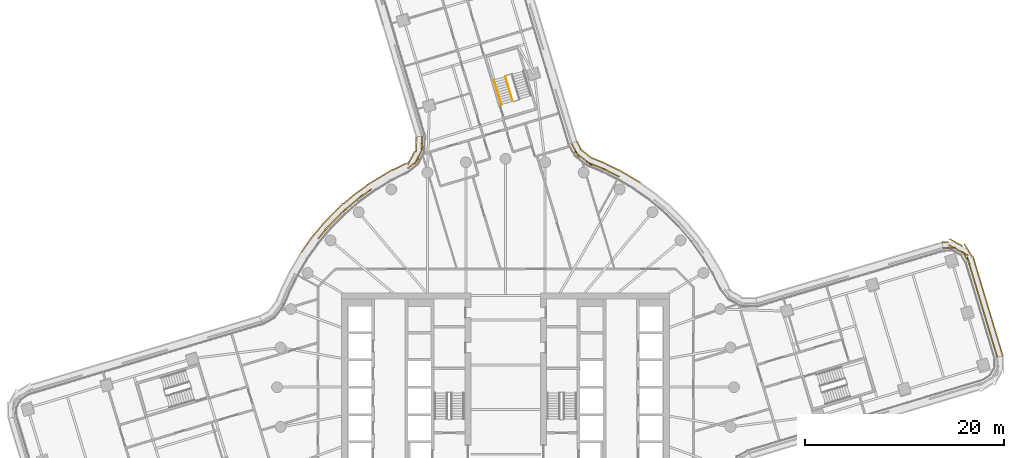
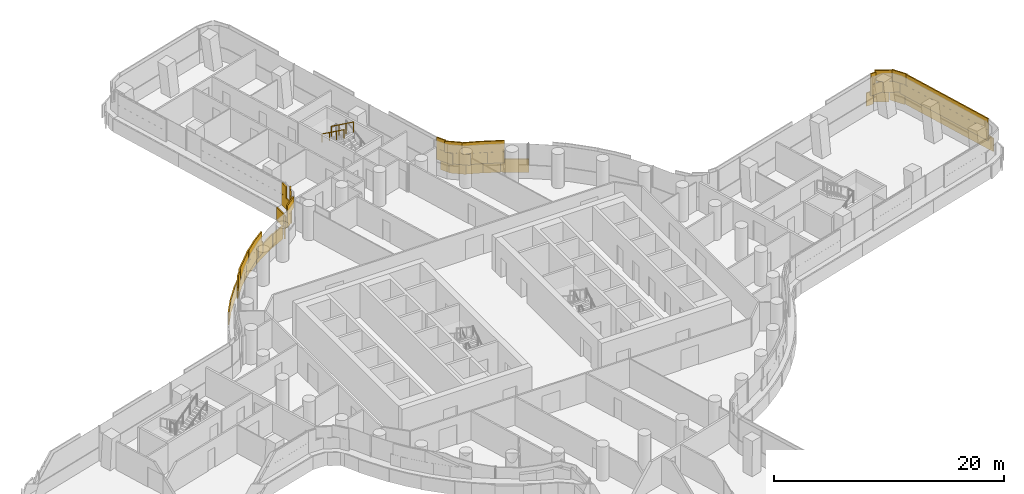
# One storey, part 30 of 32: 3 coverings, 2 railings.
"""IFC4 building model written with IfcOpenShell, lengths in metres."""

from ifc_helpers import new_model, si_unit, direction, frame, origin, origin_2d, place, context, subcontext, project, spatial, rectangle, circle, extrude, material, layer, layer_set, type_object, element, save


model = new_model("IFC4")

# Units and contexts
model_context = context("Model", 3, precision=1e-05, world=origin(), true_north=direction((0.0, 1.0)))
body_context = subcontext(model_context, "Body", "Model", "MODEL_VIEW")
ifc_project = project(units=[si_unit("LENGTHUNIT", "METRE"), si_unit("AREAUNIT", "SQUARE_METRE"), si_unit("VOLUMEUNIT", "CUBIC_METRE"), si_unit("PLANEANGLEUNIT", "RADIAN"), si_unit("MASSUNIT", "GRAM", prefix="KILO")], contexts=[model_context])

# Site, building, storey
site_placement = place(None, origin())
site = spatial("IfcSite", under=ifc_project, at=site_placement, CompositionType="ELEMENT")
building_placement = place(site_placement, origin())
building = spatial("IfcBuilding", under=site, at=building_placement, Name="Tamarind Cross Interchange Tower", CompositionType="ELEMENT")
storey_placement = place(building_placement, frame((0.0, 0.0, 94.75)))
storey = spatial("IfcBuildingStorey", under=building, at=storey_placement, Name="L22", CompositionType="ELEMENT", Elevation=94.75)

# Railings
ifc_material_1 = material(Name="Stair guard")
railing_type_1 = type_object("IfcRailingType", Name="Stair guard", PredefinedType="GUARDRAIL", material=ifc_material_1)
railing_1_placement = place(storey_placement, frame((-0.02197265625, 31.2861328125, 2.04541015625)))
element("IfcRailing", 1, at=railing_1_placement, inside=storey, type_object=railing_type_1, Name="L22 ST4 stair guard 3", PredefinedType="GUARDRAIL", context=body_context, shape_type="SweptSolid", body=[
    extrude(circle(Radius=0.02392578125, at=origin_2d()), frame((0.0, 0.0, 1.076171875), z_axis=(0.240525621842, -0.800966811225, 0.5482696349), x_axis=(0.957748720779, 0.287606307034, 0.0)), (0.0, 0.0, 1.0), 3.109130859375),
    extrude(circle(Radius=0.02099609375, at=origin_2d()), origin(), (0.0, 0.0, 1.0), 1.052001953125),
    extrude(circle(Radius=0.02099609375, at=origin_2d()), frame((0.249267578125, -0.830078125, 0.568115234375)), (0.0, 0.0, 1.0), 1.052001953125),
    extrude(circle(Radius=0.02099609375, at=origin_2d()), frame((0.49853515625, -1.66015625, 1.136474609375)), (0.0, 0.0, 1.0), 1.052001953125),
    extrude(circle(Radius=0.02099609375, at=origin_2d()), frame((0.747802734375, -2.490234375, 1.70458984375)), (0.0, 0.0, 1.0), 1.052001953125),
])
ifc_material_2 = material(Name="Stair handrail")
railing_type_2 = type_object("IfcRailingType", Name="Stair handrail", PredefinedType="HANDRAIL", material=ifc_material_2)
railing_2_placement = place(storey_placement, frame((-1.17138671875, 30.94091796875, 2.04541015625)))
element("IfcRailing", 2, at=railing_2_placement, inside=storey, type_object=railing_type_2, Name="L22 ST4 stair handrail 2", PredefinedType="HANDRAIL", context=body_context, shape_type="SweptSolid", body=[
    extrude(circle(Radius=0.02392578125, at=origin_2d()), frame((0.0, 0.0, 0.8759765625), z_axis=(0.240614736033, -0.800923528983, 0.548293762071), x_axis=(0.957715080866, 0.287718306478, 0.0)), (0.0, 0.0, 1.0), 3.10888671875),
    extrude(circle(Radius=0.02099609375, at=origin_2d()), origin(), (0.0, 0.0, 1.0), 0.851806640625),
    extrude(circle(Radius=0.02099609375, at=origin_2d()), frame((0.249267578125, -0.830078125, 0.568115234375)), (0.0, 0.0, 1.0), 0.851806640625),
    extrude(circle(Radius=0.02099609375, at=origin_2d()), frame((0.498779296875, -1.659912109375, 1.136474609375)), (0.0, 0.0, 1.0), 0.851806640625),
    extrude(circle(Radius=0.02099609375, at=origin_2d()), frame((0.748046875, -2.489990234375, 1.70458984375)), (0.0, 0.0, 1.0), 0.851806640625),
])

# Coverings
ifc_material_3 = material(Name="Terracotta", Category="masonry")
ifc_layer = layer(ifc_material_3, 0.1201171875)
ifc_layer_set = layer_set([ifc_layer], Name="Terracotta")
covering_type = type_object("IfcCoveringType", Name="Terracotta baguette screen unit", PredefinedType="MOLDING", material=ifc_layer_set)
covering_1_placement = place(storey_placement, origin())
element("IfcCovering", 3, at=covering_1_placement, inside=storey, type_object=covering_type, Name="SCR-L22-02-00", PredefinedType="MOLDING", context=body_context, shape_type="SweptSolid", body=[
    extrude(rectangle(XDim=1.510009765625, YDim=0.1201171875, at=origin_2d()), frame((-8.4287109375, 24.534912109375, 1.404052734375), z_axis=(0.0, 0.0, 1.0), x_axis=(-0.014412351413, -0.99989613667, 0.0)), (0.0, 0.0, 1.0), 1.1669921875),
    extrude(rectangle(XDim=1.52001953125, YDim=0.1201171875, at=origin_2d()), frame((-8.8125, 23.12841796875, 1.404052734375), z_axis=(0.0, 0.0, 1.0), x_axis=(-0.470495076305, -0.882402619654, 0.0)), (0.0, 0.0, 1.0), 1.1669921875),
    extrude(rectangle(XDim=0.80322265625, YDim=0.1201171875, at=origin_2d()), frame((-9.543212890625, 22.276611328125, 1.404052734375), z_axis=(0.0, 0.0, 1.0), x_axis=(-0.785119964938, -0.619343717701, 0.0)), (0.0, 0.0, 1.0), 1.1669921875),
    extrude(rectangle(XDim=1.016845703125, YDim=0.1201171875, at=origin_2d()), frame((-13.89794921875, 19.64794921875, 1.404052734375), z_axis=(0.0, 0.0, 1.0), x_axis=(-0.811340475102, -0.584573890505, 0.0)), (0.0, 0.0, 1.0), 1.1669921875),
    extrude(rectangle(XDim=1.52001953125, YDim=0.1201171875, at=origin_2d()), frame((-14.912353515625, 18.912109375, 1.404052734375), z_axis=(0.0, 0.0, 1.0), x_axis=(-0.760295606781, -0.64957723968, 0.0)), (0.0, 0.0, 1.0), 1.1669921875),
    extrude(rectangle(XDim=1.52001953125, YDim=0.1201171875, at=origin_2d()), frame((-16.052734375, 17.937744140625, 1.404052734375), z_axis=(0.0, 0.0, 1.0), x_axis=(-0.760295606781, -0.64957723968, 0.0)), (0.0, 0.0, 1.0), 1.1669921875),
    extrude(rectangle(XDim=1.52001953125, YDim=0.1201171875, at=origin_2d()), frame((-17.1337890625, 16.899169921875, 1.404052734375), z_axis=(0.0, 0.0, 1.0), x_axis=(-0.704057148523, -0.710143317658, 0.0)), (0.0, 0.0, 1.0), 1.1669921875),
    extrude(rectangle(XDim=1.52001953125, YDim=0.1201171875, at=origin_2d()), frame((-18.1552734375, 15.802490234375, 1.404052734375), z_axis=(0.0, 0.0, 1.0), x_axis=(-0.643009266048, -0.765858396687, 0.0)), (0.0, 0.0, 1.0), 1.1669921875),
    extrude(rectangle(XDim=0.3662109375, YDim=0.1201171875, at=origin_2d()), frame((-18.751953125, 15.091552734375, 1.404052734375), z_axis=(0.0, 0.0, 1.0), x_axis=(-0.643009266048, -0.765858396687, 0.0)), (0.0, 0.0, 1.0), 1.1669921875),
    extrude(rectangle(XDim=0.760009765625, YDim=0.1201171875, at=origin_2d()), frame((-8.42333984375, 24.909912109375, 2.5791015625), z_axis=(0.0, 0.0, 1.0), x_axis=(-0.014412351413, -0.99989613667, 0.0)), (0.0, 0.0, 1.0), 1.1669921875),
    extrude(rectangle(XDim=1.52001953125, YDim=0.1201171875, at=origin_2d()), frame((-8.459716796875, 23.790283203125, 2.5791015625), z_axis=(0.0, 0.0, 1.0), x_axis=(-0.470495076305, -0.882402619654, 0.0)), (0.0, 0.0, 1.0), 1.1669921875),
    extrude(rectangle(XDim=1.52001953125, YDim=0.1201171875, at=origin_2d()), frame((-9.231689453125, 22.522216796875, 2.5791015625), z_axis=(0.0, 0.0, 1.0), x_axis=(-0.785119964938, -0.619343717701, 0.0)), (0.0, 0.0, 1.0), 1.1669921875),
    extrude(rectangle(XDim=1.52001953125, YDim=0.1201171875, at=origin_2d()), frame((-14.306396484375, 19.353515625, 2.5791015625), z_axis=(0.0, 0.0, 1.0), x_axis=(-0.811340475102, -0.584573890505, 0.0)), (0.0, 0.0, 1.0), 1.1669921875),
    extrude(rectangle(XDim=1.52001953125, YDim=0.1201171875, at=origin_2d()), frame((-15.482666015625, 18.4248046875, 2.5791015625), z_axis=(0.0, 0.0, 1.0), x_axis=(-0.760295606781, -0.64957723968, 0.0)), (0.0, 0.0, 1.0), 1.1669921875),
    extrude(rectangle(XDim=1.52001953125, YDim=0.1201171875, at=origin_2d()), frame((-16.605712890625, 17.431884765625, 2.5791015625), z_axis=(0.0, 0.0, 1.0), x_axis=(-0.704057148523, -0.710143317658, 0.0)), (0.0, 0.0, 1.0), 1.1669921875),
    extrude(rectangle(XDim=1.52001953125, YDim=0.1201171875, at=origin_2d()), frame((-17.661865234375, 16.36669921875, 2.5791015625), z_axis=(0.0, 0.0, 1.0), x_axis=(-0.704057148523, -0.710143317658, 0.0)), (0.0, 0.0, 1.0), 1.1669921875),
    extrude(rectangle(XDim=1.1162109375, YDim=0.1201171875, at=origin_2d()), frame((-18.510986328125, 15.37890625, 2.5791015625), z_axis=(0.0, 0.0, 1.0), x_axis=(-0.643009266048, -0.765858396687, 0.0)), (0.0, 0.0, 1.0), 1.1669921875),
    extrude(rectangle(XDim=1.510009765625, YDim=0.1201171875, at=origin_2d()), frame((-9.00390625, 24.4501953125, 0.00390625), z_axis=(0.0, 0.0, 1.0), x_axis=(-0.014412351413, -0.99989613667, 0.0)), (0.0, 0.0, 1.0), 1.39208984375),
    extrude(rectangle(XDim=1.52001953125, YDim=0.1201171875, at=origin_2d()), frame((-9.491455078125, 23.0751953125, 0.00390625), z_axis=(0.0, 0.0, 1.0), x_axis=(-0.470495076305, -0.882402619654, 0.0)), (0.0, 0.0, 1.0), 1.39208984375),
    extrude(rectangle(XDim=1.52001953125, YDim=0.1201171875, at=origin_2d()), frame((-10.695068359375, 22.19970703125, 0.00390625), z_axis=(0.0, 0.0, 1.0), x_axis=(-0.896163511691, -0.443723968604, 0.0)), (0.0, 0.0, 1.0), 1.39208984375),
    extrude(rectangle(XDim=1.52001953125, YDim=0.1201171875, at=origin_2d()), frame((-12.030029296875, 21.517333984375, 0.00390625), z_axis=(0.0, 0.0, 1.0), x_axis=(-0.856843065292, -0.515577308909, 0.0)), (0.0, 0.0, 1.0), 1.39208984375),
    extrude(rectangle(XDim=1.52001953125, YDim=0.1201171875, at=origin_2d()), frame((-13.3154296875, 20.743896484375, 0.00390625), z_axis=(0.0, 0.0, 1.0), x_axis=(-0.856843065292, -0.515577308909, 0.0)), (0.0, 0.0, 1.0), 1.39208984375),
    extrude(rectangle(XDim=1.52001953125, YDim=0.1201171875, at=origin_2d()), frame((-14.54638671875, 19.88818359375, 0.00390625), z_axis=(0.0, 0.0, 1.0), x_axis=(-0.811340475102, -0.584573890505, 0.0)), (0.0, 0.0, 1.0), 1.39208984375),
    extrude(rectangle(XDim=1.52001953125, YDim=0.1201171875, at=origin_2d()), frame((-15.729736328125, 18.968505859375, 0.00390625), z_axis=(0.0, 0.0, 1.0), x_axis=(-0.760295606781, -0.64957723968, 0.0)), (0.0, 0.0, 1.0), 1.39208984375),
    extrude(rectangle(XDim=1.52001953125, YDim=0.1201171875, at=origin_2d()), frame((-16.863525390625, 17.987060546875, 0.00390625), z_axis=(0.0, 0.0, 1.0), x_axis=(-0.704057148523, -0.710143317658, 0.0)), (0.0, 0.0, 1.0), 1.39208984375),
    extrude(rectangle(XDim=1.52001953125, YDim=0.1201171875, at=origin_2d()), frame((-17.919677734375, 16.921875, 0.00390625), z_axis=(0.0, 0.0, 1.0), x_axis=(-0.704057148523, -0.710143317658, 0.0)), (0.0, 0.0, 1.0), 1.39208984375),
    extrude(rectangle(XDim=1.52001953125, YDim=0.1201171875, at=origin_2d()), frame((-18.90966796875, 15.79638671875, 0.00390625), z_axis=(0.0, 0.0, 1.0), x_axis=(-0.643009266048, -0.765858396687, 0.0)), (0.0, 0.0, 1.0), 1.39208984375),
    extrude(rectangle(XDim=1.52001953125, YDim=0.1201171875, at=origin_2d()), frame((-19.8388671875, 14.620361328125, 0.00390625), z_axis=(0.0, 0.0, 1.0), x_axis=(-0.577568978284, -0.816341886298, 0.0)), (0.0, 0.0, 1.0), 1.39208984375),
    extrude(rectangle(XDim=0.542724609375, YDim=0.1201171875, at=origin_2d()), frame((-20.4228515625, 13.794677734375, 0.00390625), z_axis=(0.0, 0.0, 1.0), x_axis=(-0.577568978284, -0.816341886298, 0.0)), (0.0, 0.0, 1.0), 1.39208984375),
])
covering_2_placement = place(storey_placement, origin())
element("IfcCovering", 4, at=covering_2_placement, inside=storey, type_object=covering_type, Name="SCR-L22-12-00", PredefinedType="MOLDING", context=body_context, shape_type="SweptSolid", body=[
    extrude(rectangle(XDim=1.510009765625, YDim=0.1201171875, at=origin_2d()), frame((49.28662109375, 3.7451171875, 1.404052734375), z_axis=(0.0, 0.0, 1.0), x_axis=(-0.287641355717, 0.957738195167, 0.0)), (0.0, 0.0, 1.0), 1.1669921875),
    extrude(rectangle(XDim=1.52001953125, YDim=0.1201171875, at=origin_2d()), frame((48.85498046875, 5.181884765625, 1.404052734375), z_axis=(0.0, 0.0, 1.0), x_axis=(-0.287641355717, 0.957738195167, 0.0)), (0.0, 0.0, 1.0), 1.1669921875),
    extrude(rectangle(XDim=1.52001953125, YDim=0.1201171875, at=origin_2d()), frame((48.423583984375, 6.618408203125, 1.404052734375), z_axis=(0.0, 0.0, 1.0), x_axis=(-0.287641355717, 0.957738195167, 0.0)), (0.0, 0.0, 1.0), 1.1669921875),
    extrude(rectangle(XDim=1.52001953125, YDim=0.1201171875, at=origin_2d()), frame((47.9921875, 8.054931640625, 1.404052734375), z_axis=(0.0, 0.0, 1.0), x_axis=(-0.287641355717, 0.957738195167, 0.0)), (0.0, 0.0, 1.0), 1.1669921875),
    extrude(rectangle(XDim=1.52001953125, YDim=0.1201171875, at=origin_2d()), frame((47.560791015625, 9.49169921875, 1.404052734375), z_axis=(0.0, 0.0, 1.0), x_axis=(-0.287641355717, 0.957738195167, 0.0)), (0.0, 0.0, 1.0), 1.1669921875),
    extrude(rectangle(XDim=1.52001953125, YDim=0.1201171875, at=origin_2d()), frame((47.129150390625, 10.92822265625, 1.404052734375), z_axis=(0.0, 0.0, 1.0), x_axis=(-0.287641355717, 0.957738195167, 0.0)), (0.0, 0.0, 1.0), 1.1669921875),
    extrude(rectangle(XDim=1.52001953125, YDim=0.1201171875, at=origin_2d()), frame((46.69775390625, 12.36474609375, 1.404052734375), z_axis=(0.0, 0.0, 1.0), x_axis=(-0.287641355717, 0.957738195167, 0.0)), (0.0, 0.0, 1.0), 1.1669921875),
    extrude(rectangle(XDim=1.52001953125, YDim=0.1201171875, at=origin_2d()), frame((45.91943359375, 13.611572265625, 1.404052734375), z_axis=(0.0, 0.0, 1.0), x_axis=(-0.880616325581, 0.473830019227, 0.0)), (0.0, 0.0, 1.0), 1.1669921875),
    extrude(rectangle(XDim=1.259521484375, YDim=0.1201171875, at=origin_2d()), frame((44.655517578125, 14.038330078125, 1.404052734375), z_axis=(0.0, 0.0, 1.0), x_axis=(-0.999551118554, -0.029959329064, 0.0)), (0.0, 0.0, 1.0), 1.1669921875),
    extrude(rectangle(XDim=0.760009765625, YDim=0.1201171875, at=origin_2d()), frame((49.39453125, 3.385986328125, 2.5791015625), z_axis=(0.0, 0.0, 1.0), x_axis=(-0.287641355717, 0.957738195167, 0.0)), (0.0, 0.0, 1.0), 1.1669921875),
    extrude(rectangle(XDim=1.52001953125, YDim=0.1201171875, at=origin_2d()), frame((49.07080078125, 4.46337890625, 2.5791015625), z_axis=(0.0, 0.0, 1.0), x_axis=(-0.287641355717, 0.957738195167, 0.0)), (0.0, 0.0, 1.0), 1.1669921875),
    extrude(rectangle(XDim=1.52001953125, YDim=0.1201171875, at=origin_2d()), frame((48.639404296875, 5.900146484375, 2.5791015625), z_axis=(0.0, 0.0, 1.0), x_axis=(-0.287641355717, 0.957738195167, 0.0)), (0.0, 0.0, 1.0), 1.1669921875),
    extrude(rectangle(XDim=1.52001953125, YDim=0.1201171875, at=origin_2d()), frame((48.2080078125, 7.336669921875, 2.5791015625), z_axis=(0.0, 0.0, 1.0), x_axis=(-0.287641355717, 0.957738195167, 0.0)), (0.0, 0.0, 1.0), 1.1669921875),
    extrude(rectangle(XDim=1.52001953125, YDim=0.1201171875, at=origin_2d()), frame((47.7763671875, 8.773193359375, 2.5791015625), z_axis=(0.0, 0.0, 1.0), x_axis=(-0.287641355717, 0.957738195167, 0.0)), (0.0, 0.0, 1.0), 1.1669921875),
    extrude(rectangle(XDim=1.52001953125, YDim=0.1201171875, at=origin_2d()), frame((47.344970703125, 10.2099609375, 2.5791015625), z_axis=(0.0, 0.0, 1.0), x_axis=(-0.287641355717, 0.957738195167, 0.0)), (0.0, 0.0, 1.0), 1.1669921875),
    extrude(rectangle(XDim=1.52001953125, YDim=0.1201171875, at=origin_2d()), frame((46.91357421875, 11.646484375, 2.5791015625), z_axis=(0.0, 0.0, 1.0), x_axis=(-0.287641355717, 0.957738195167, 0.0)), (0.0, 0.0, 1.0), 1.1669921875),
    extrude(rectangle(XDim=1.52001953125, YDim=0.1201171875, at=origin_2d()), frame((46.36865234375, 13.0322265625, 2.5791015625), z_axis=(0.0, 0.0, 1.0), x_axis=(-0.525721099327, 0.850656996517, 0.0)), (0.0, 0.0, 1.0), 1.1669921875),
    extrude(rectangle(XDim=1.52001953125, YDim=0.1201171875, at=origin_2d()), frame((45.2587890625, 13.967041015625, 2.5791015625), z_axis=(0.0, 0.0, 1.0), x_axis=(-0.880616325581, 0.473830019227, 0.0)), (0.0, 0.0, 1.0), 1.1669921875),
    extrude(rectangle(XDim=0.509521484375, YDim=0.1201171875, at=origin_2d()), frame((44.28076171875, 14.027099609375, 2.5791015625), z_axis=(0.0, 0.0, 1.0), x_axis=(-0.999551118554, -0.029959329064, 0.0)), (0.0, 0.0, 1.0), 1.1669921875),
    extrude(rectangle(XDim=1.510009765625, YDim=0.1201171875, at=origin_2d()), frame((49.856689453125, 3.8427734375, 0.00390625), z_axis=(0.0, 0.0, 1.0), x_axis=(-0.287641355717, 0.957738195167, 0.0)), (0.0, 0.0, 1.0), 1.39208984375),
    extrude(rectangle(XDim=1.52001953125, YDim=0.1201171875, at=origin_2d()), frame((49.426513671875, 5.2744140625, 0.00390625), z_axis=(0.0, 0.0, 1.0), x_axis=(-0.287641355717, 0.957738195167, 0.0)), (0.0, 0.0, 1.0), 1.39208984375),
    extrude(rectangle(XDim=1.52001953125, YDim=0.1201171875, at=origin_2d()), frame((48.9951171875, 6.711181640625, 0.00390625), z_axis=(0.0, 0.0, 1.0), x_axis=(-0.287641355717, 0.957738195167, 0.0)), (0.0, 0.0, 1.0), 1.39208984375),
    extrude(rectangle(XDim=1.52001953125, YDim=0.1201171875, at=origin_2d()), frame((48.563720703125, 8.147705078125, 0.00390625), z_axis=(0.0, 0.0, 1.0), x_axis=(-0.287641355717, 0.957738195167, 0.0)), (0.0, 0.0, 1.0), 1.39208984375),
    extrude(rectangle(XDim=1.52001953125, YDim=0.1201171875, at=origin_2d()), frame((48.132080078125, 9.584228515625, 0.00390625), z_axis=(0.0, 0.0, 1.0), x_axis=(-0.287641355717, 0.957738195167, 0.0)), (0.0, 0.0, 1.0), 1.39208984375),
    extrude(rectangle(XDim=1.52001953125, YDim=0.1201171875, at=origin_2d()), frame((47.70068359375, 11.02099609375, 0.00390625), z_axis=(0.0, 0.0, 1.0), x_axis=(-0.287641355717, 0.957738195167, 0.0)), (0.0, 0.0, 1.0), 1.39208984375),
    extrude(rectangle(XDim=1.52001953125, YDim=0.1201171875, at=origin_2d()), frame((47.269287109375, 12.45751953125, 0.00390625), z_axis=(0.0, 0.0, 1.0), x_axis=(-0.287641355717, 0.957738195167, 0.0)), (0.0, 0.0, 1.0), 1.39208984375),
    extrude(rectangle(XDim=1.52001953125, YDim=0.1201171875, at=origin_2d()), frame((46.581787109375, 13.779052734375, 0.00390625), z_axis=(0.0, 0.0, 1.0), x_axis=(-0.525721099327, 0.850656996517, 0.0)), (0.0, 0.0, 1.0), 1.39208984375),
    extrude(rectangle(XDim=1.52001953125, YDim=0.1201171875, at=origin_2d()), frame((45.3408203125, 14.57470703125, 0.00390625), z_axis=(0.0, 0.0, 1.0), x_axis=(-0.880616325581, 0.473830019227, 0.0)), (0.0, 0.0, 1.0), 1.39208984375),
    extrude(rectangle(XDim=0.6767578125, YDim=0.1201171875, at=origin_2d()), frame((44.27685546875, 14.60107421875, 0.00390625), z_axis=(0.0, 0.0, 1.0), x_axis=(-0.999551118554, -0.029959329064, 0.0)), (0.0, 0.0, 1.0), 1.39208984375),
])
covering_3_placement = place(storey_placement, origin())
element("IfcCovering", 5, at=covering_3_placement, inside=storey, type_object=covering_type, Name="SCR-L22-14-01", PredefinedType="MOLDING", context=body_context, shape_type="SweptSolid", body=[
    extrude(rectangle(XDim=1.45361328125, YDim=0.1201171875, at=origin_2d()), frame((10.8115234375, 21.50341796875, 1.404052734375), z_axis=(0.0, 0.0, 1.0), x_axis=(-0.900272776334, 0.435326231914, 0.0)), (0.0, 0.0, 1.0), 1.1669921875),
    extrude(rectangle(XDim=1.52001953125, YDim=0.1201171875, at=origin_2d()), frame((9.48388671875, 22.138427734375, 1.404052734375), z_axis=(0.0, 0.0, 1.0), x_axis=(-0.924673854944, 0.38076011081, 0.0)), (0.0, 0.0, 1.0), 1.1669921875),
    extrude(rectangle(XDim=1.52001953125, YDim=0.1201171875, at=origin_2d()), frame((8.130859375, 22.767333984375, 1.404052734375), z_axis=(0.0, 0.0, 1.0), x_axis=(-0.785091852631, 0.619379353008, 0.0)), (0.0, 0.0, 1.0), 1.1669921875),
    extrude(rectangle(XDim=1.52001953125, YDim=0.1201171875, at=origin_2d()), frame((7.054443359375, 23.78173828125, 1.404052734375), z_axis=(0.0, 0.0, 1.0), x_axis=(-0.47749522249, 0.878634345163, 0.0)), (0.0, 0.0, 1.0), 1.1669921875),
    extrude(rectangle(XDim=0.134521484375, YDim=0.1201171875, at=origin_2d()), frame((6.666748046875, 24.49560546875, 1.404052734375), z_axis=(0.0, 0.0, 1.0), x_axis=(-0.47749522249, 0.878634345163, 0.0)), (0.0, 0.0, 1.0), 1.1669921875),
    extrude(rectangle(XDim=0.70361328125, YDim=0.1201171875, at=origin_2d()), frame((11.149169921875, 21.340087890625, 2.5791015625), z_axis=(0.0, 0.0, 1.0), x_axis=(-0.900272776334, 0.435326231914, 0.0)), (0.0, 0.0, 1.0), 1.1669921875),
    extrude(rectangle(XDim=1.52001953125, YDim=0.1201171875, at=origin_2d()), frame((10.161865234375, 21.817626953125, 2.5791015625), z_axis=(0.0, 0.0, 1.0), x_axis=(-0.900272776334, 0.435326231914, 0.0)), (0.0, 0.0, 1.0), 1.1669921875),
    extrude(rectangle(XDim=1.52001953125, YDim=0.1201171875, at=origin_2d()), frame((8.79052734375, 22.423828125, 2.5791015625), z_axis=(0.0, 0.0, 1.0), x_axis=(-0.924673854944, 0.38076011081, 0.0)), (0.0, 0.0, 1.0), 1.1669921875),
    extrude(rectangle(XDim=1.52001953125, YDim=0.1201171875, at=origin_2d()), frame((7.5419921875, 23.231689453125, 2.5791015625), z_axis=(0.0, 0.0, 1.0), x_axis=(-0.785091852631, 0.619379353008, 0.0)), (0.0, 0.0, 1.0), 1.1669921875),
    extrude(rectangle(XDim=0.884521484375, YDim=0.1201171875, at=origin_2d()), frame((6.845703125, 24.166015625, 2.5791015625), z_axis=(0.0, 0.0, 1.0), x_axis=(-0.47749522249, 0.878634345163, 0.0)), (0.0, 0.0, 1.0), 1.1669921875),
    extrude(rectangle(XDim=0.977294921875, YDim=0.1201171875, at=origin_2d()), frame((13.161865234375, 20.8427734375, 0.00390625), z_axis=(0.0, 0.0, 1.0), x_axis=(-0.861248933065, 0.508183308752, 0.0)), (0.0, 0.0, 1.0), 1.39208984375),
    extrude(rectangle(XDim=1.52001953125, YDim=0.1201171875, at=origin_2d()), frame((12.103759765625, 21.467041015625, 0.00390625), z_axis=(0.0, 0.0, 1.0), x_axis=(-0.861248933065, 0.508183308752, 0.0)), (0.0, 0.0, 1.0), 1.39208984375),
    extrude(rectangle(XDim=1.52001953125, YDim=0.1201171875, at=origin_2d()), frame((10.774169921875, 22.158935546875, 0.00390625), z_axis=(0.0, 0.0, 1.0), x_axis=(-0.900272776334, 0.435326231914, 0.0)), (0.0, 0.0, 1.0), 1.39208984375),
    extrude(rectangle(XDim=1.52001953125, YDim=0.1201171875, at=origin_2d()), frame((9.4130859375, 22.788330078125, 0.00390625), z_axis=(0.0, 0.0, 1.0), x_axis=(-0.924673854944, 0.38076011081, 0.0)), (0.0, 0.0, 1.0), 1.39208984375),
    extrude(rectangle(XDim=1.52001953125, YDim=0.1201171875, at=origin_2d()), frame((8.11474609375, 23.510986328125, 0.00390625), z_axis=(0.0, 0.0, 1.0), x_axis=(-0.785091852631, 0.619379353008, 0.0)), (0.0, 0.0, 1.0), 1.39208984375),
    extrude(rectangle(XDim=0.8662109375, YDim=0.1201171875, at=origin_2d()), frame((7.37646484375, 24.3916015625, 0.00390625), z_axis=(0.0, 0.0, 1.0), x_axis=(-0.47749522249, 0.878634345163, 0.0)), (0.0, 0.0, 1.0), 1.39208984375),
])

save(model, "model.ifc")
